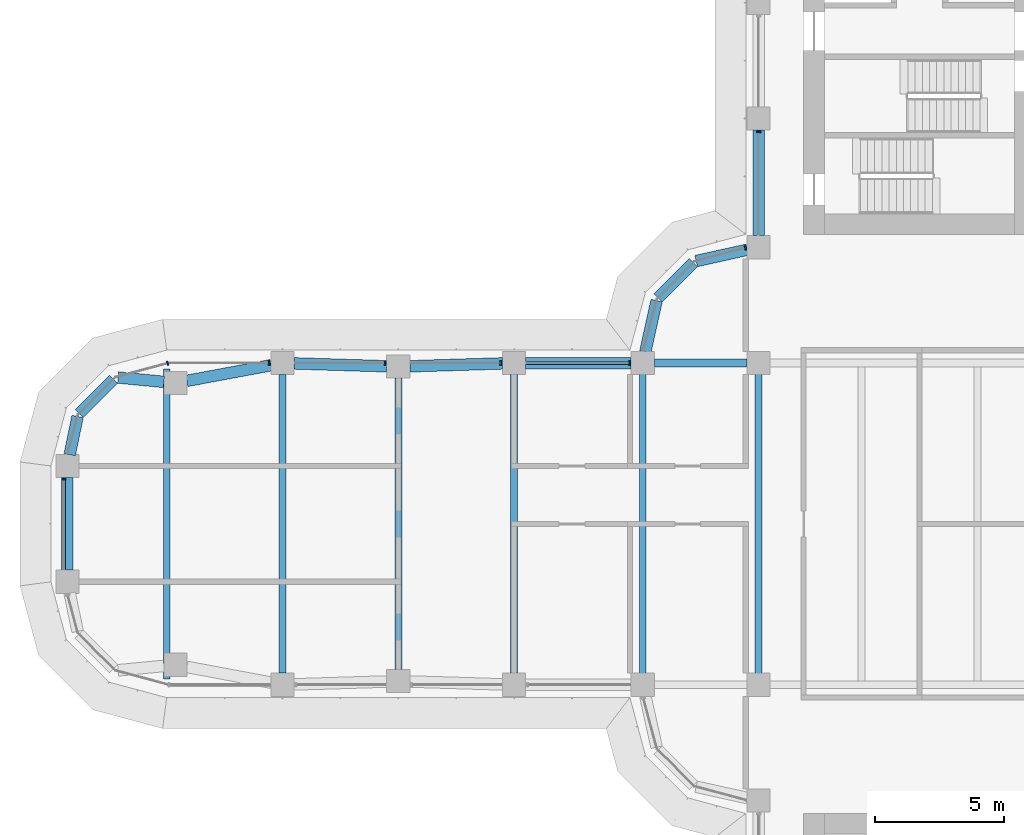
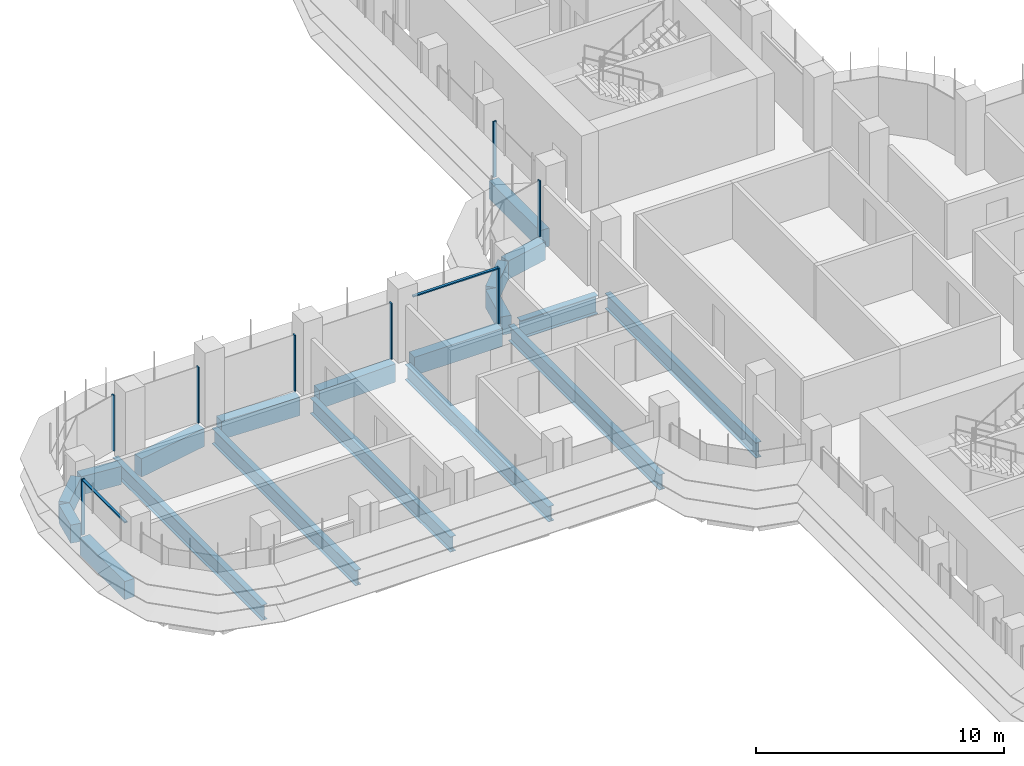
# One storey, part 6 of 22: 19 beams, 10 members, 5 elements without a shape of their own.
"""IFC4 building model written with IfcOpenShell, lengths in metres."""

from ifc_helpers import new_model, si_unit, direction, frame, origin, origin_2d, place, context, subcontext, project, spatial, polyline, rectangle, i_section, outline, extrude, source, transform, mapped, material, material_profile, profile_set, type_object, element, aggregate, save


model = new_model("IFC4")

# Units and contexts
model_context = context("Model", 3, precision=1e-05, world=origin(), true_north=direction((0.0, 1.0)))
body_context = subcontext(model_context, "Body", "Model", "MODEL_VIEW")
ifc_project = project(units=[si_unit("LENGTHUNIT", "METRE"), si_unit("AREAUNIT", "SQUARE_METRE"), si_unit("VOLUMEUNIT", "CUBIC_METRE"), si_unit("PLANEANGLEUNIT", "RADIAN"), si_unit("MASSUNIT", "GRAM", prefix="KILO")], contexts=[model_context])

# Site, building, storey
site_placement = place(None, origin())
site = spatial("IfcSite", under=ifc_project, at=site_placement, CompositionType="ELEMENT")
building_placement = place(site_placement, origin())
building = spatial("IfcBuilding", under=site, at=building_placement, Name="Zarbagh Exchange Tower", CompositionType="ELEMENT")
storey_placement = place(building_placement, frame((0.0, 0.0, 101.800048828125)))
storey = spatial("IfcBuildingStorey", under=building, at=storey_placement, Name="L23", CompositionType="ELEMENT", Elevation=101.800048828125)

# Beams
ifc_material_1 = material(Name="Steel ASTM A992 Gr 50", Category="steel")
ifc_material_profile_1 = material_profile(ifc_material_1, i_section(OverallWidth=0.2666015625, OverallDepth=0.7568359375, WebThickness=0.013916015625, FlangeThickness=0.019287109375, at=origin_2d()), Name="W30X108")
ifc_profile_set_1 = profile_set([ifc_material_profile_1], Name="Steel ASTM A992 Gr 50")
beam_type_1 = type_object("IfcBeamType", Name="Floor beam W30X108", PredefinedType="BEAM", material=ifc_profile_set_1)
for number, where, z_axis, x_axis, name in (
    (1, (-10.75, -6.09765625, -0.528564453125), (0.0, 1.0, 0.0), (-1.0, 0.0, 0.0), "Steel floor beam"),
    (2, (-6.25, -6.09765625, -0.528564453125), (0.0, 1.0, 0.0), (-1.0, 0.0, 0.0), "Steel floor beam"),
):
    element("IfcBeam", number, at=place(storey_placement, frame(where, z_axis=z_axis, x_axis=x_axis)), inside=storey, type_object=beam_type_1, Name=name, PredefinedType="BEAM", context=body_context, shape_type="SweptSolid", body=[
        extrude(i_section(OverallWidth=0.2666015625, OverallDepth=0.7568359375, WebThickness=0.013916015625, FlangeThickness=0.019287109375, at=origin_2d()), origin(), (0.0, 0.0, 1.0), 12.1953125),
    ])
beam_1_placement = place(storey_placement, frame((-15.75, -5.800048828125, -0.528564453125), z_axis=(0.0, 1.0, 0.0), x_axis=(-1.0, 0.0, 0.0)))
element("IfcBeam", 3, at=beam_1_placement, inside=storey, type_object=beam_type_1, Name="Steel floor beam", PredefinedType="BEAM", context=body_context, shape_type="SweptSolid", body=[
    extrude(i_section(OverallWidth=0.2666015625, OverallDepth=0.7568359375, WebThickness=0.013916015625, FlangeThickness=0.019287109375, at=origin_2d()), origin(), (0.0, 0.0, 1.0), 11.60009765625),
])
beam_2_placement = place(storey_placement, frame((-20.25, -5.659912109375, -0.528564453125), z_axis=(0.0, 1.0, 0.0), x_axis=(-1.0, 0.0, 0.0)))
element("IfcBeam", 4, at=beam_2_placement, inside=storey, type_object=beam_type_1, Name="Steel floor beam", PredefinedType="BEAM", context=body_context, shape_type="SweptSolid", body=[
    extrude(i_section(OverallWidth=0.2666015625, OverallDepth=0.7568359375, WebThickness=0.013916015625, FlangeThickness=0.019287109375, at=origin_2d()), origin(), (0.0, 0.0, 1.0), 11.31982421875),
])
beam_3_placement = place(storey_placement, frame((-24.75, -5.800048828125, -0.528564453125), z_axis=(0.0, 1.0, 0.0), x_axis=(-1.0, 0.0, 0.0)))
element("IfcBeam", 5, at=beam_3_placement, inside=storey, type_object=beam_type_1, Name="Steel floor beam", PredefinedType="BEAM", context=body_context, shape_type="SweptSolid", body=[
    extrude(i_section(OverallWidth=0.2666015625, OverallDepth=0.7568359375, WebThickness=0.013916015625, FlangeThickness=0.019287109375, at=origin_2d()), origin(), (0.0, 0.0, 1.0), 11.60009765625),
])
beam_4_placement = place(storey_placement, frame((-29.25, -6.02490234375, -0.528564453125), z_axis=(0.0, 1.0, 0.0), x_axis=(-1.0, 0.0, 0.0)))
element("IfcBeam", 6, at=beam_4_placement, inside=storey, type_object=beam_type_1, Name="Steel floor beam", PredefinedType="BEAM", context=body_context, shape_type="SweptSolid", body=[
    extrude(i_section(OverallWidth=0.2666015625, OverallDepth=0.7568359375, WebThickness=0.013916015625, FlangeThickness=0.019287109375, at=origin_2d()), origin(), (0.0, 0.0, 1.0), 12.0498046875),
])
ifc_material_profile_2 = material_profile(ifc_material_1, i_section(OverallWidth=0.3046875, OverallDepth=0.911865234375, WebThickness=0.015869140625, FlangeThickness=0.02392578125, at=origin_2d()), Name="W36X150")
ifc_profile_set_2 = profile_set([ifc_material_profile_2], Name="Steel ASTM A992 Gr 50")
beam_type_2 = type_object("IfcBeamType", Name="Floor girder W36X150", PredefinedType="BEAM", material=ifc_profile_set_2)
beam_5_placement = place(storey_placement, frame((-10.300048828125, 6.25, -0.60595703125), z_axis=(1.0, 0.0, 0.0), x_axis=(0.0, 1.0, 0.0)))
element("IfcBeam", 7, at=beam_5_placement, inside=storey, type_object=beam_type_2, Name="Steel girder", PredefinedType="BEAM", context=body_context, shape_type="SweptSolid", body=[
    extrude(i_section(OverallWidth=0.3046875, OverallDepth=0.911865234375, WebThickness=0.015869140625, FlangeThickness=0.02392578125, at=origin_2d()), origin(), (0.0, 0.0, 1.0), 3.60009765625),
])
ifc_material_2 = material(Name="Concrete C60/75", Category="concrete")
ifc_material_profile_3 = material_profile(ifc_material_2, rectangle(XDim=0.449951171875, YDim=0.89990234375, at=origin_2d()), Name="RC spandrel beam 450 x 900 C60/75")
ifc_profile_set_3 = profile_set([ifc_material_profile_3], Name="Concrete C60/75")
beam_type_3 = type_object("IfcBeamType", Name="RC spandrel beam 450 x 900 C60/75", PredefinedType="SPANDREL", material=ifc_profile_set_3)
beam_6_placement = place(storey_placement, frame((-33.110107421875, -1.800048828125, -0.60009765625), z_axis=(0.0, 1.0, 0.0), x_axis=(-1.0, 0.0, 0.0)))
element("IfcBeam", 8, at=beam_6_placement, inside=storey, type_object=beam_type_3, Name="RC spandrel beam", PredefinedType="SPANDREL", context=body_context, shape_type="SweptSolid", body=[
    extrude(rectangle(XDim=0.449951171875, YDim=0.89990234375, at=origin_2d()), origin(), (0.0, 0.0, 1.0), 3.60009765625),
])
beam_7_placement = place(storey_placement, frame((-33.01904296875, 2.690673828125, -0.60009765625), z_axis=(0.202275417995, 0.979328675816, 0.0), x_axis=(-0.979328675816, 0.202275417995, 0.0)))
element("IfcBeam", 9, at=beam_7_placement, inside=storey, type_object=beam_type_3, Name="RC spandrel beam", PredefinedType="SPANDREL", context=body_context, shape_type="SweptSolid", body=[
    extrude(rectangle(XDim=0.449951171875, YDim=0.89990234375, at=origin_2d()), origin(), (0.0, 0.0, 1.0), 1.515869140625),
])
beam_8_placement = place(storey_placement, frame((-32.651123046875, 4.288818359375, -0.60009765625), z_axis=(0.707106781187, 0.707106781187, 0.0), x_axis=(-0.707106781187, 0.707106781187, 0.0)))
element("IfcBeam", 10, at=beam_8_placement, inside=storey, type_object=beam_type_3, Name="RC spandrel beam", PredefinedType="SPANDREL", context=body_context, shape_type="SweptSolid", body=[
    extrude(rectangle(XDim=0.449951171875, YDim=0.89990234375, at=origin_2d()), origin(), (0.0, 0.0, 1.0), 1.887939453125),
])
beam_9_placement = place(storey_placement, frame((-31.135498046875, 5.688720703125, -0.60009765625), z_axis=(0.995433267802, -0.095459988228, 0.0), x_axis=(0.095459988228, 0.995433267802, 0.0)))
element("IfcBeam", 11, at=beam_9_placement, inside=storey, type_object=beam_type_3, Name="RC spandrel beam", PredefinedType="SPANDREL", context=body_context, shape_type="SweptSolid", body=[
    extrude(rectangle(XDim=0.449951171875, YDim=0.89990234375, at=origin_2d()), origin(), (0.0, 0.0, 1.0), 1.78759765625),
])
beam_10_placement = place(storey_placement, frame((-28.465576171875, 5.5576171875, -0.60009765625), z_axis=(0.98308156541, 0.183168326277, 0.0), x_axis=(-0.183168326277, 0.98308156541, 0.0)))
element("IfcBeam", 12, at=beam_10_placement, inside=storey, type_object=beam_type_3, Name="RC spandrel beam", PredefinedType="SPANDREL", context=body_context, shape_type="SweptSolid", body=[
    extrude(rectangle(XDim=0.449951171875, YDim=0.89990234375, at=origin_2d()), origin(), (0.0, 0.0, 1.0), 3.32958984375),
])
for number, where, z_axis, x_axis, name in (
    (13, (-24.30029296875, 6.236083984375, -0.60009765625), (0.999516035224, -0.031107801747, 0.0), (0.031107801747, 0.999516035224, 0.0), "RC spandrel beam"),
    (14, (-19.80029296875, 6.1240234375, -0.60009765625), (0.999516035224, 0.031107801747, 0.0), (-0.031107801747, 0.999516035224, 0.0), "RC spandrel beam"),
):
    element("IfcBeam", number, at=place(storey_placement, frame(where, z_axis=z_axis, x_axis=x_axis)), inside=storey, type_object=beam_type_3, Name=name, PredefinedType="SPANDREL", context=body_context, shape_type="SweptSolid", body=[
        extrude(rectangle(XDim=0.449951171875, YDim=0.89990234375, at=origin_2d()), origin(), (0.0, 0.0, 1.0), 3.602294921875),
    ])
beam_11_placement = place(storey_placement, frame((-15.300048828125, 6.25, -0.60009765625), z_axis=(1.0, 0.0, 0.0), x_axis=(0.0, 1.0, 0.0)))
element("IfcBeam", 15, at=beam_11_placement, inside=storey, type_object=beam_type_3, Name="RC spandrel beam", PredefinedType="SPANDREL", context=body_context, shape_type="SweptSolid", body=[
    extrude(rectangle(XDim=0.449951171875, YDim=0.89990234375, at=origin_2d()), origin(), (0.0, 0.0, 1.0), 4.10009765625),
])
beam_12_placement = place(storey_placement, frame((-10.65283203125, 6.689453125, -0.60009765625), z_axis=(0.216117666208, 0.976367325525, 0.0), x_axis=(-0.976367325525, 0.216117666208, 0.0)))
element("IfcBeam", 16, at=beam_12_placement, inside=storey, type_object=beam_type_3, Name="RC spandrel beam", PredefinedType="SPANDREL", context=body_context, shape_type="SweptSolid", body=[
    extrude(rectangle(XDim=0.449951171875, YDim=0.89990234375, at=origin_2d()), origin(), (0.0, 0.0, 1.0), 2.03564453125),
])
beam_13_placement = place(storey_placement, frame((-10.15234375, 8.78759765625, -0.60009765625), z_axis=(0.707106781187, 0.707106781187, 0.0), x_axis=(-0.707106781187, 0.707106781187, 0.0)))
element("IfcBeam", 17, at=beam_13_placement, inside=storey, type_object=beam_type_3, Name="RC spandrel beam", PredefinedType="SPANDREL", context=body_context, shape_type="SweptSolid", body=[
    extrude(rectangle(XDim=0.449951171875, YDim=0.89990234375, at=origin_2d()), origin(), (0.0, 0.0, 1.0), 1.929931640625),
])
beam_14_placement = place(storey_placement, frame((-8.677001953125, 10.212890625, -0.60009765625), z_axis=(0.976367325525, 0.216117666208, 0.0), x_axis=(-0.216117666208, 0.976367325525, 0.0)))
element("IfcBeam", 18, at=beam_14_placement, inside=storey, type_object=beam_type_3, Name="RC spandrel beam", PredefinedType="SPANDREL", context=body_context, shape_type="SweptSolid", body=[
    extrude(rectangle(XDim=0.449951171875, YDim=0.89990234375, at=origin_2d()), origin(), (0.0, 0.0, 1.0), 2.03564453125),
])
beam_15_placement = place(storey_placement, frame((-6.25, 11.199951171875, -0.60009765625), z_axis=(0.0, 1.0, 0.0), x_axis=(-1.0, 0.0, 0.0)))
element("IfcBeam", 19, at=beam_15_placement, inside=storey, type_object=beam_type_3, Name="RC spandrel beam", PredefinedType="SPANDREL", context=body_context, shape_type="SweptSolid", body=[
    extrude(rectangle(XDim=0.449951171875, YDim=0.89990234375, at=origin_2d()), origin(), (0.0, 0.0, 1.0), 4.10009765625),
])

# Curtain wall, member
ifc_material_3 = material(Name="Anodised aluminium frame and glazing", Category="aluminium")
curtain_wall_type = type_object("IfcCurtainWallType", Name="CWA Ribbon glazing, lower zones", PredefinedType="NOTDEFINED", material=ifc_material_3)
curtain_wall_1_placement = place(storey_placement, origin())
curtain_wall_1 = element("IfcCurtainWall", 20, at=curtain_wall_1_placement, inside=storey, type_object=curtain_wall_type, Name="CWA56 curtain wall", PredefinedType="NOTDEFINED")
ifc_material_4 = material(Name="Anodised aluminium frame", Category="aluminium")
member_type_1 = type_object("IfcMemberType", Name="MUA Mullion, anodised aluminium frame", PredefinedType="MULLION", material=ifc_material_4)
shared_shape_1 = source(origin(), body_context, "Body", "SweptSolid", [
    extrude(outline(polyline([(0.0, -0.080078125), (0.06005859375, -0.080078125), (0.06005859375, 0.080078125), (0.0, 0.080078125), (0.0, -0.080078125)])), origin(), (0.0, 0.0, 1.0), 2.75),
])
placement = place(storey_placement, origin())
member_1 = element("IfcMember", 21, at=placement, type_object=member_type_1, Name="CWA56 mullion 4.1", PredefinedType="MULLION", context=body_context, shape_type="MappedRepresentation", body=[
    mapped(shared_shape_1, transform((-6.25, 15.260009765625, 0.0), x_axis=(0.0, -1.0, 0.0), y_axis=(1.0, 0.0, 0.0), z_axis=(0.0, 0.0, 1.0))),
])
aggregate(curtain_wall_1, [member_1])

curtain_wall_2_placement = place(storey_placement, origin())
curtain_wall_2 = element("IfcCurtainWall", 22, at=curtain_wall_2_placement, inside=storey, type_object=curtain_wall_type, Name="CWA29 curtain wall", PredefinedType="NOTDEFINED")
member_2 = element("IfcMember", 23, at=placement, type_object=member_type_1, Name="CWA29 mullion 1.1", PredefinedType="MULLION", context=body_context, shape_type="MappedRepresentation", body=[
    mapped(shared_shape_1, transform((-6.739990234375, 10.735107421875, 0.0), x_axis=(-0.965924289636, -0.258824779902, 0.0), y_axis=(0.258824779902, -0.965924289636, 0.0), z_axis=(0.0, 0.0, 1.0))),
])
aggregate(curtain_wall_2, [member_2])

# Curtain wall, members
curtain_wall_3_placement = place(storey_placement, origin())
curtain_wall_3 = element("IfcCurtainWall", 24, at=curtain_wall_3_placement, inside=storey, type_object=curtain_wall_type, Name="CWA32 curtain wall", PredefinedType="NOTDEFINED")
member_3 = element("IfcMember", 25, at=placement, type_object=member_type_1, Name="CWA32 mullion 1.1", PredefinedType="MULLION", context=body_context, shape_type="MappedRepresentation", body=[
    mapped(shared_shape_1, transform((-11.239990234375, 6.25, 0.0), x_axis=(-1.0, 0.0, 0.0), y_axis=(0.0, -1.0, 0.0), z_axis=(0.0, 0.0, 1.0))),
])
member_4 = element("IfcMember", 26, at=placement, type_object=member_type_1, Name="CWA32 mullion 2.1", PredefinedType="MULLION", context=body_context, shape_type="MappedRepresentation", body=[
    mapped(shared_shape_1, transform((-16.239990234375, 6.25, 0.0), x_axis=(-1.0, 0.0, 0.0), y_axis=(0.0, -1.0, 0.0), z_axis=(0.0, 0.0, 1.0))),
])
member_5 = element("IfcMember", 27, at=placement, type_object=member_type_1, Name="CWA32 mullion 3.1", PredefinedType="MULLION", context=body_context, shape_type="MappedRepresentation", body=[
    mapped(shared_shape_1, transform((-20.739990234375, 6.25, 0.0), x_axis=(-1.0, 0.0, 0.0), y_axis=(0.0, -1.0, 0.0), z_axis=(0.0, 0.0, 1.0))),
])
member_6 = element("IfcMember", 28, at=placement, type_object=member_type_1, Name="CWA32 mullion 4.1", PredefinedType="MULLION", context=body_context, shape_type="MappedRepresentation", body=[
    mapped(shared_shape_1, transform((-25.239990234375, 6.25, 0.0), x_axis=(-1.0, 0.0, 0.0), y_axis=(0.0, -1.0, 0.0), z_axis=(0.0, 0.0, 1.0))),
])

# Curtain wall, member
curtain_wall_4_placement = place(storey_placement, origin())
curtain_wall_4 = element("IfcCurtainWall", 29, at=curtain_wall_4_placement, inside=storey, type_object=curtain_wall_type, Name="CWA33 curtain wall", PredefinedType="NOTDEFINED")
member_7 = element("IfcMember", 30, at=placement, type_object=member_type_1, Name="CWA33 mullion 1.1", PredefinedType="MULLION", context=body_context, shape_type="MappedRepresentation", body=[
    mapped(shared_shape_1, transform((-29.18408203125, 6.25, 0.0), x_axis=(-0.965924289636, -0.258824779902, 0.0), y_axis=(0.258824779902, -0.965924289636, 0.0), z_axis=(0.0, 0.0, 1.0))),
])
aggregate(curtain_wall_4, [member_7])

curtain_wall_5_placement = place(storey_placement, origin())
curtain_wall_5 = element("IfcCurtainWall", 31, at=curtain_wall_5_placement, inside=storey, type_object=curtain_wall_type, Name="CWA36 curtain wall", PredefinedType="NOTDEFINED")
member_8 = element("IfcMember", 32, at=placement, type_object=member_type_1, Name="CWA36 mullion 1.1", PredefinedType="MULLION", context=body_context, shape_type="MappedRepresentation", body=[
    mapped(shared_shape_1, transform((-33.25, 1.760009765625, 0.0), x_axis=(0.0, -1.0, 0.0), y_axis=(1.0, 0.0, 0.0), z_axis=(0.0, 0.0, 1.0))),
])

# Member
member_type_2 = type_object("IfcMemberType", Name="TRA Transom, anodised aluminium frame", PredefinedType="USERDEFINED", material=ifc_material_4)
shared_shape_2 = source(origin(), body_context, "Body", "SweptSolid", [
    extrude(outline(polyline([(-0.06005859375, -0.06005859375), (0.0, -0.06005859375), (0.0, 0.06005859375), (-0.06005859375, 0.06005859375), (-0.06005859375, -0.06005859375)])), origin(), (0.0, 0.0, 1.0), 3.9599609375),
])
member_9 = element("IfcMember", 33, at=placement, type_object=member_type_2, Name="CWA32 transom 1.1", ObjectType="TRANSOM", PredefinedType="USERDEFINED", context=body_context, shape_type="MappedRepresentation", body=[
    mapped(shared_shape_2, transform((-11.300048828125, 6.25, 2.75), x_axis=(0.0, 0.0, 1.0), y_axis=(0.0, 1.0, 0.0), z_axis=(-1.0, 0.0, 0.0))),
])

aggregate(curtain_wall_3, [member_3, member_9, member_4, member_5, member_6])

shared_shape_3 = source(origin(), body_context, "Body", "SweptSolid", [
    extrude(outline(polyline([(-0.06005859375, -0.06005859375), (0.0, -0.06005859375), (0.0, 0.06005859375), (-0.06005859375, 0.06005859375), (-0.06005859375, -0.06005859375)])), origin(), (0.0, 0.0, 1.0), 3.4599609375),
])
member_10 = element("IfcMember", 34, at=placement, type_object=member_type_2, Name="CWA36 transom 1.1", ObjectType="TRANSOM", PredefinedType="USERDEFINED", context=body_context, shape_type="MappedRepresentation", body=[
    mapped(shared_shape_3, transform((-33.25, 1.699951171875, 2.75), x_axis=(0.0, 0.0, 1.0), y_axis=(-1.0, 0.0, 0.0), z_axis=(0.0, -1.0, 0.0))),
])

aggregate(curtain_wall_5, [member_8, member_10])

save(model, "model.ifc")
